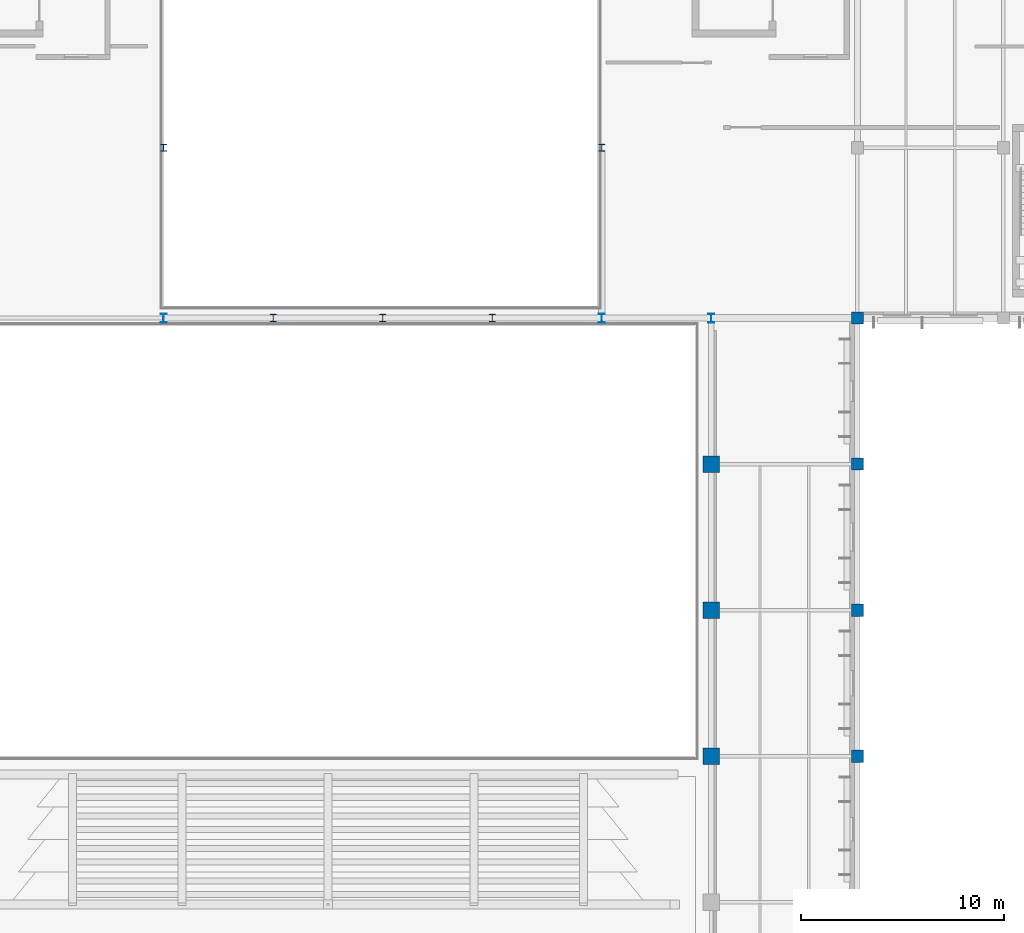
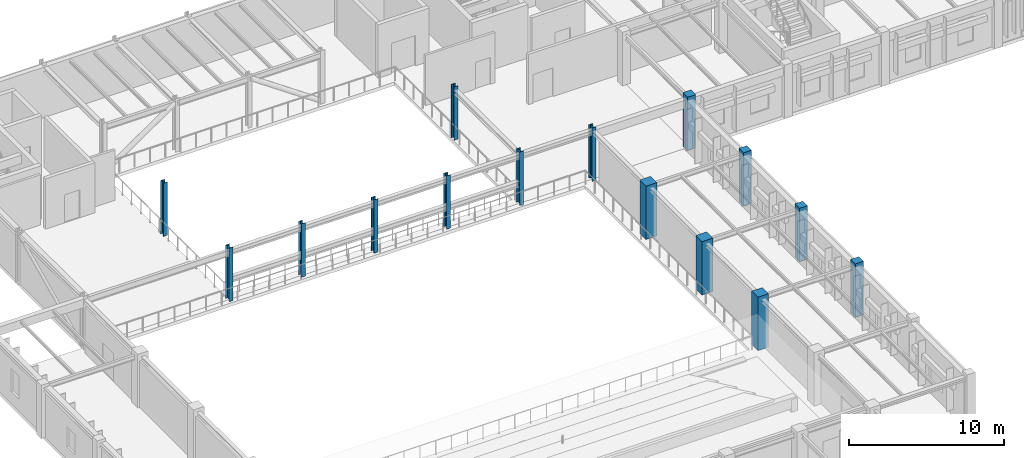
# One storey, part 8 of 104: 15 columns.
"""IFC4 building model written with IfcOpenShell, lengths in metres."""

from ifc_helpers import new_model, si_unit, direction, frame, origin, origin_2d, place, context, subcontext, project, spatial, rectangle, i_section, extrude, material, material_profile, profile_set, type_object, element, save


model = new_model("IFC4")

# Units and contexts
model_context = context("Model", 3, precision=1e-05, world=origin(), true_north=direction((0.0, 1.0)))
body_context = subcontext(model_context, "Body", "Model", "MODEL_VIEW")
ifc_project = project(units=[si_unit("LENGTHUNIT", "METRE"), si_unit("AREAUNIT", "SQUARE_METRE"), si_unit("VOLUMEUNIT", "CUBIC_METRE"), si_unit("PLANEANGLEUNIT", "RADIAN"), si_unit("MASSUNIT", "GRAM", prefix="KILO")], contexts=[model_context])

# Site, building, storey
site_placement = place(None, origin())
site = spatial("IfcSite", under=ifc_project, at=site_placement, CompositionType="ELEMENT")
building_placement = place(site_placement, origin())
building = spatial("IfcBuilding", under=site, at=building_placement, Name="Tazoul Stagehouse", CompositionType="ELEMENT")
storey_placement = place(building_placement, frame((0.0, 0.0, 9.0)))
storey = spatial("IfcBuildingStorey", under=building, at=storey_placement, Name="L02", CompositionType="ELEMENT", Elevation=9.0)

# Columns
ifc_material_1 = material(Name="Concrete C40/50", Category="concrete")
ifc_material_profile_1 = material_profile(ifc_material_1, rectangle(XDim=0.60009765625, YDim=0.60009765625, at=origin_2d()), Name="RC 600x600")
ifc_profile_set_1 = profile_set([ifc_material_profile_1], Name="Concrete C40/50")
column_type_1 = type_object("IfcColumnType", Name="RC Column 600x600 (Exterior)", PredefinedType="COLUMN", material=ifc_profile_set_1)
for number, where, z_axis, x_axis, name in (
    (1, (102.60009765625, 66.199951171875, 0.0), (0.0, 0.0, 1.0), (1.0, 0.0, 0.0), "L02 Column C-03E at 16/K"),
    (2, (102.60009765625, 73.39990234375, 0.0), (0.0, 0.0, 1.0), (1.0, 0.0, 0.0), "L02 Column C-03E at 16/L"),
    (3, (102.60009765625, 80.60009765625, 0.0), (0.0, 0.0, 1.0), (1.0, 0.0, 0.0), "L02 Column C-03E at 16/M"),
    (4, (102.60009765625, 87.800048828125, 0.0), (0.0, 0.0, 1.0), (1.0, 0.0, 0.0), "L02 Column C-03E at 16/N"),
):
    element("IfcColumn", number, at=place(storey_placement, frame(where, z_axis=z_axis, x_axis=x_axis)), inside=storey, type_object=column_type_1, Name=name, PredefinedType="COLUMN", context=body_context, shape_type="SweptSolid", body=[
        extrude(rectangle(XDim=0.60009765625, YDim=0.60009765625, at=origin_2d()), origin(), (0.0, 0.0, 1.0), 4.199951171875),
    ])
ifc_material_profile_2 = material_profile(ifc_material_1, rectangle(XDim=0.800048828125, YDim=0.800048828125, at=origin_2d()), Name="RC 800x800")
ifc_profile_set_2 = profile_set([ifc_material_profile_2], Name="Concrete C40/50")
column_type_2 = type_object("IfcColumnType", Name="RC Column 800x800", PredefinedType="COLUMN", material=ifc_profile_set_2)
for number, where, z_axis, x_axis, name in (
    (5, (95.39990234375, 66.199951171875, 0.0), (0.0, 0.0, 1.0), (1.0, 0.0, 0.0), "L02 Column C-05 at 15/K"),
    (6, (95.39990234375, 73.39990234375, 0.0), (0.0, 0.0, 1.0), (1.0, 0.0, 0.0), "L02 Column C-05 at 15/L"),
    (7, (95.39990234375, 80.60009765625, 0.0), (0.0, 0.0, 1.0), (1.0, 0.0, 0.0), "L02 Column C-05 at 15/M"),
):
    element("IfcColumn", number, at=place(storey_placement, frame(where, z_axis=z_axis, x_axis=x_axis)), inside=storey, type_object=column_type_2, Name=name, PredefinedType="COLUMN", context=body_context, shape_type="SweptSolid", body=[
        extrude(rectangle(XDim=0.800048828125, YDim=0.800048828125, at=origin_2d()), origin(), (0.0, 0.0, 1.0), 4.199951171875),
    ])
ifc_material_2 = material(Name="Steel S355", Category="steel")
ifc_material_profile_3 = material_profile(ifc_material_2, i_section(OverallWidth=0.300048828125, OverallDepth=0.360107421875, WebThickness=0.012451171875, FlangeThickness=0.0224609375, FilletRadius=0.027099609375, at=origin_2d()), Name="HEB 360")
ifc_profile_set_3 = profile_set([ifc_material_profile_3], Name="Steel S355")
column_type_3 = type_object("IfcColumnType", Name="Steel Column HEB 360", PredefinedType="COLUMN", material=ifc_profile_set_3)
for number, where, z_axis, x_axis, name in (
    (8, (68.39990234375, 96.199951171875, 0.0), (0.0, 0.0, 1.0), (1.0, 0.0, 0.0), "L02 Column SC-03 at 10/P"),
    (9, (73.800048828125, 87.800048828125, 0.0), (0.0, 0.0, 1.0), (1.0, 0.0, 0.0), "L02 Column SC-03 at 11/N"),
    (10, (79.199951171875, 87.800048828125, 0.0), (0.0, 0.0, 1.0), (1.0, 0.0, 0.0), "L02 Column SC-03 at 12/N"),
    (11, (84.60009765625, 87.800048828125, 0.0), (0.0, 0.0, 1.0), (1.0, 0.0, 0.0), "L02 Column SC-03 at 13/N"),
    (12, (90.0, 96.199951171875, 0.0), (0.0, 0.0, 1.0), (1.0, 0.0, 0.0), "L02 Column SC-03 at 14/P"),
):
    element("IfcColumn", number, at=place(storey_placement, frame(where, z_axis=z_axis, x_axis=x_axis)), inside=storey, type_object=column_type_3, Name=name, PredefinedType="COLUMN", context=body_context, shape_type="SweptSolid", body=[
        extrude(i_section(OverallWidth=0.300048828125, OverallDepth=0.360107421875, WebThickness=0.012451171875, FlangeThickness=0.0224609375, FilletRadius=0.027099609375, at=origin_2d()), origin(), (0.0, 0.0, 1.0), 4.199951171875),
    ])
ifc_material_profile_4 = material_profile(ifc_material_2, i_section(OverallWidth=0.300048828125, OverallDepth=0.449951171875, WebThickness=0.013916015625, FlangeThickness=0.02587890625, FilletRadius=0.027099609375, at=origin_2d()), Name="HEB 450")
ifc_profile_set_4 = profile_set([ifc_material_profile_4], Name="Steel S355")
column_type_4 = type_object("IfcColumnType", Name="Steel Column HEB 450", PredefinedType="COLUMN", material=ifc_profile_set_4)
for number, where, z_axis, x_axis, name in (
    (13, (68.39990234375, 87.800048828125, 0.0), (0.0, 0.0, 1.0), (1.0, 0.0, 0.0), "L02 Column SC-05 at 10/N"),
    (14, (90.0, 87.800048828125, 0.0), (0.0, 0.0, 1.0), (1.0, 0.0, 0.0), "L02 Column SC-05 at 14/N"),
    (15, (95.39990234375, 87.800048828125, 0.0), (0.0, 0.0, 1.0), (1.0, 0.0, 0.0), "L02 Column SC-05 at 15/N"),
):
    element("IfcColumn", number, at=place(storey_placement, frame(where, z_axis=z_axis, x_axis=x_axis)), inside=storey, type_object=column_type_4, Name=name, PredefinedType="COLUMN", context=body_context, shape_type="SweptSolid", body=[
        extrude(i_section(OverallWidth=0.300048828125, OverallDepth=0.449951171875, WebThickness=0.013916015625, FlangeThickness=0.02587890625, FilletRadius=0.027099609375, at=origin_2d()), origin(), (0.0, 0.0, 1.0), 4.199951171875),
    ])

save(model, "model.ifc")
